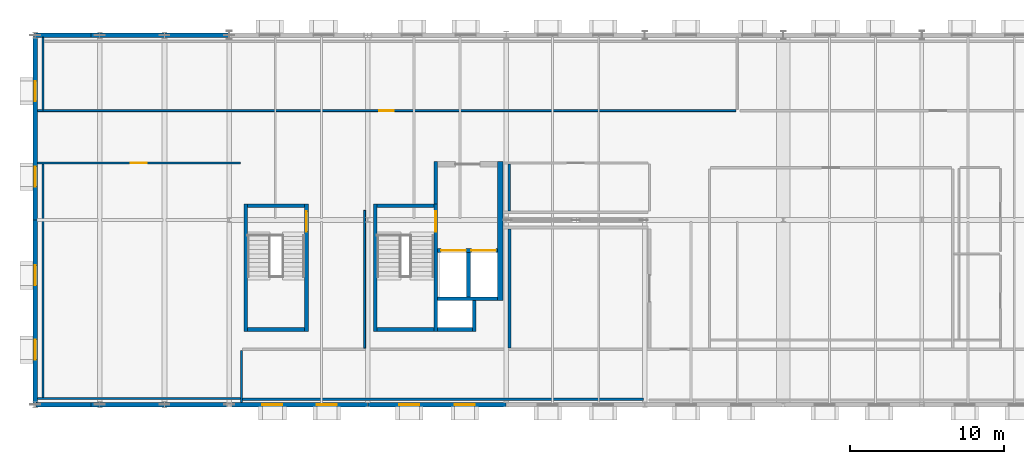
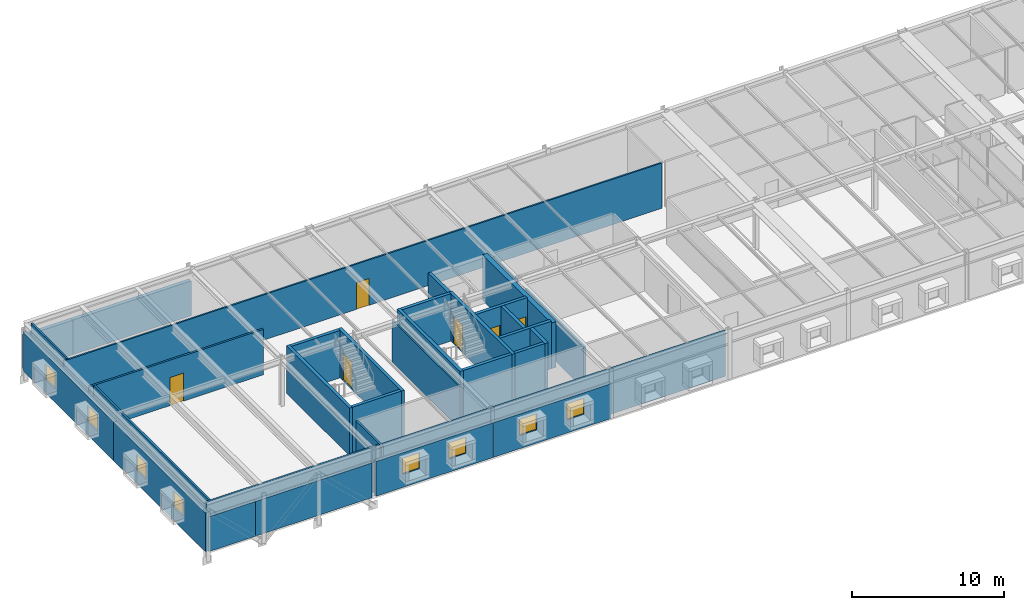
# One storey, part 11 of 17: 33 walls, 8 windows, 6 doors, 14 openings.
"""IFC4 building model written with IfcOpenShell, lengths in metres."""

from ifc_helpers import new_model, si_unit, direction, frame, frame_2d, origin, place, context, subcontext, project, spatial, rectangle, extrude, material, layer, layer_set, type_object, element, fill, save


model = new_model("IFC4")

# Units and contexts
model_context = context("Model", 3, precision=1e-05, world=origin(), true_north=direction((0.0, 1.0)))
body_context = subcontext(model_context, "Body", "Model", "MODEL_VIEW")
ifc_project = project(units=[si_unit("LENGTHUNIT", "METRE"), si_unit("AREAUNIT", "SQUARE_METRE"), si_unit("VOLUMEUNIT", "CUBIC_METRE"), si_unit("PLANEANGLEUNIT", "RADIAN"), si_unit("MASSUNIT", "GRAM", prefix="KILO")], contexts=[model_context])

# Site, building, storey
site_placement = place(None, origin())
site = spatial("IfcSite", under=ifc_project, at=site_placement, CompositionType="ELEMENT")
building_placement = place(site_placement, origin())
building = spatial("IfcBuilding", under=site, at=building_placement, Name="Montelvaro Courts of Justice", CompositionType="ELEMENT")
storey_placement = place(building_placement, frame((0.0, 0.0, 27.39990234375)))
storey = spatial("IfcBuildingStorey", under=building, at=storey_placement, Name="L06", CompositionType="ELEMENT", Elevation=27.39990234375)

# Walls
ifc_material_1 = material(Name="Gypsum board on metal stud")
ifc_layer_1 = layer(ifc_material_1, 0.14990234375)
ifc_layer_set_1 = layer_set([ifc_layer_1], Name="Gypsum board on metal stud")
wall_type_1 = type_object("IfcWallType", Name="ChambersPartition_150", PredefinedType="PARTITIONING", material=ifc_layer_set_1)
wall_1_placement = place(storey_placement, frame((71.919921875, 0.360107421875, 0.0), z_axis=(0.0, 0.0, 1.0), x_axis=(-1.0, 0.0, 0.0)))
element("IfcWall", 1, at=wall_1_placement, inside=storey, type_object=wall_type_1, Name="Interior Partition IW-04 (L06)", PredefinedType="PARTITIONING", context=body_context, shape_type="SweptSolid", body=[
    extrude(rectangle(XDim=26.0400390625, YDim=0.14990234375, at=frame_2d((13.02001953125, 0.0))), origin(), (0.0, 0.0, 1.0), 3.64013671875),
])
wall_2_placement = place(storey_placement, frame((45.800048828125, 0.135009765625, 0.0), z_axis=(0.0, 0.0, 1.0), x_axis=(0.0, 1.0, 0.0)))
element("IfcWall", 2, at=wall_2_placement, inside=storey, type_object=wall_type_1, Name="Interior Partition IW-04 (L06)", PredefinedType="PARTITIONING", context=body_context, shape_type="SweptSolid", body=[
    extrude(rectangle(XDim=3.385009765625, YDim=0.14990234375, at=frame_2d((1.6923828125, 0.0))), origin(), (0.0, 0.0, 1.0), 3.64013671875),
])
wall_3_placement = place(storey_placement, frame((45.72998046875, 0.39990234375, 0.0), z_axis=(0.0, 0.0, 1.0), x_axis=(-1.0, 0.0, 0.0)))
element("IfcWall", 3, at=wall_3_placement, inside=storey, type_object=wall_type_1, Name="Interior Partition IW-04 (L06)", PredefinedType="PARTITIONING", context=body_context, shape_type="SweptSolid", body=[
    extrude(rectangle(XDim=13.195068359375, YDim=0.14990234375, at=frame_2d((6.59765625, 0.0))), origin(), (0.0, 0.0, 1.0), 3.64013671875),
])
wall_4_placement = place(storey_placement, frame((32.89990234375, 0.469970703125, 0.0), z_axis=(0.0, 0.0, 1.0), x_axis=(0.0, 1.0, 0.0)))
element("IfcWall", 4, at=wall_4_placement, inside=storey, type_object=wall_type_1, Name="Interior Partition IW-04 (L06)", PredefinedType="PARTITIONING", context=body_context, shape_type="SweptSolid", body=[
    extrude(rectangle(XDim=15.150146484375, YDim=0.14990234375, at=frame_2d((7.5751953125, 0.0))), origin(), (0.0, 0.0, 1.0), 3.64013671875),
])

# Wall, opening, door
wall_5_placement = place(storey_placement, frame((32.534912109375, 15.699951171875, 0.0), z_axis=(0.0, 0.0, 1.0), x_axis=(1.0, 0.0, 0.0)))
wall_5 = element("IfcWall", 5, at=wall_5_placement, inside=storey, type_object=wall_type_1, Name="Interior Partition IW-04 (L06)", PredefinedType="PARTITIONING", context=body_context, shape_type="SweptSolid", body=[
    extrude(rectangle(XDim=13.18505859375, YDim=0.14990234375, at=frame_2d((6.592529296875, 0.0))), origin(), (0.0, 0.0, 1.0), 3.64013671875),
])
opening_1_placement = place(wall_5_placement, frame((6.068115234375, 0.0, 0.0)))
opening_1 = element("IfcOpeningElement", 6, at=opening_1_placement, cuts=wall_5, Name="Opening D-L06-164", PredefinedType="OPENING", context=body_context, shape_type="SweptSolid", body=[
    extrude(rectangle(XDim=1.050048828125, YDim=2.25, at=frame_2d((0.52490234375, 1.125))), frame((0.0, 0.08984375, 0.0), z_axis=(0.0, -1.0, 0.0), x_axis=(1.0, 0.0, 0.0)), (0.0, 0.0, 1.0), 0.1796875),
])
ifc_material_2 = material(Name="Acoustic oak timber veneer", Category="wood")
door_type_1 = type_object("IfcDoorType", Name="ChamberDoor_105x225", OperationType="NOTDEFINED", PredefinedType="DOOR", material=ifc_material_2)
door_1_placement = place(opening_1_placement, origin())
door_1 = element("IfcDoor", 7, at=door_1_placement, inside=storey, type_object=door_type_1, Name="Interior Door D-L06-164 (West Cantilever Judicial Conference Hall)", OperationType="SINGLE_SWING_RIGHT", OverallHeight=2.25, OverallWidth=1.050048828125, PredefinedType="DOOR", context=body_context, shape_type="SweptSolid", body=[
    extrude(rectangle(XDim=1.050048828125, YDim=2.25, at=frame_2d((0.52490234375, 1.125))), frame((0.0, 0.02490234375, 0.0), z_axis=(0.0, -1.0, 0.0), x_axis=(1.0, 0.0, 0.0)), (0.0, 0.0, 1.0), 0.050048828125),
])
fill(opening_1, door_1)

# Walls
wall_6_placement = place(storey_placement, frame((63.199951171875, 12.570068359375, 0.0), z_axis=(0.0, 0.0, 1.0), x_axis=(0.0, 1.0, 0.0)))
element("IfcWall", 8, at=wall_6_placement, inside=storey, type_object=wall_type_1, Name="Interior Partition IW-04 (L06)", PredefinedType="PARTITIONING", context=body_context, shape_type="SweptSolid", body=[
    extrude(rectangle(XDim=3.050048828125, YDim=0.14990234375, at=frame_2d((1.52490234375, 0.0))), origin(), (0.0, 0.0, 1.0), 3.35498046875),
])
ifc_material_3 = material(Name="Concrete C40/50", Category="concrete")
ifc_layer_2 = layer(ifc_material_3, 0.360107421875)
ifc_layer_set_2 = layer_set([ifc_layer_2], Name="Concrete C40/50")
wall_type_2 = type_object("IfcWallType", Name="CoreWall_360", PredefinedType="SHEAR", material=ifc_layer_set_2)
wall_7_placement = place(storey_placement, frame((62.6201171875, 6.760009765625, 0.0), z_axis=(0.0, 0.0, 1.0), x_axis=(0.0, 1.0, 0.0)))
element("IfcWall", 9, at=wall_7_placement, inside=storey, type_object=wall_type_2, Name="Core Shear Wall CW-01 K1-E (L06)", PredefinedType="SHEAR", context=body_context, shape_type="SweptSolid", body=[
    extrude(rectangle(XDim=9.0400390625, YDim=0.360107421875, at=frame_2d((4.52001953125, 0.0))), origin(), (0.0, 0.0, 1.0), 3.66015625),
])
ifc_material_4 = material(Name="Gypsum acoustic double stud with mineral wool")
ifc_layer_3 = layer(ifc_material_4, 0.199951171875)
ifc_layer_set_3 = layer_set([ifc_layer_3], Name="Gypsum acoustic double stud with mineral wool")
wall_type_3 = type_object("IfcWallType", Name="CourtAcousticWall_200", PredefinedType="PARTITIONING", material=ifc_layer_set_3)
wall_8_placement = place(storey_placement, frame((63.199951171875, 3.669921875, 0.0), z_axis=(0.0, 0.0, 1.0), x_axis=(0.0, 1.0, 0.0)))
element("IfcWall", 10, at=wall_8_placement, inside=storey, type_object=wall_type_3, Name="Interior Partition IW-01 (L06)", PredefinedType="PARTITIONING", context=body_context, shape_type="SweptSolid", body=[
    extrude(rectangle(XDim=7.75, YDim=0.199951171875, at=frame_2d((3.875, 0.0))), origin(), (0.0, 0.0, 1.0), 3.35498046875),
])
ifc_material_5 = material(Name="White mineral precast concrete C45/55", Category="concrete")
ifc_layer_4 = layer(ifc_material_5, 0.280029296875)
ifc_layer_set_4 = layer_set([ifc_layer_4], Name="White mineral precast concrete C45/55")
wall_type_4 = type_object("IfcWallType", Name="ExtWall_GFRC_280", PredefinedType="SOLIDWALL", material=ifc_layer_set_4)
wall_9_placement = place(storey_placement, frame((32.43994140625, 0.0, 0.0), z_axis=(0.0, 0.0, 1.0), x_axis=(1.0, 0.0, 0.0)))
element("IfcWall", 11, at=wall_9_placement, inside=storey, type_object=wall_type_4, Name="Exterior Facade Wall EW-01 (L06)", PredefinedType="SOLIDWALL", context=body_context, shape_type="SweptSolid", body=[
    extrude(rectangle(XDim=3.570068359375, YDim=0.280029296875, at=frame_2d((1.78515625, 0.0))), origin(), (0.0, 0.0, 1.0), 2.787109375),
])
wall_10_placement = place(storey_placement, frame((35.989990234375, 0.0, 0.0), z_axis=(0.0, 0.0, 1.0), x_axis=(1.0, 0.0, 0.0)))
element("IfcWall", 12, at=wall_10_placement, inside=storey, type_object=wall_type_4, Name="Exterior Facade Wall EW-01 (L06)", PredefinedType="SOLIDWALL", context=body_context, shape_type="SweptSolid", body=[
    extrude(rectangle(XDim=8.85205078125, YDim=0.280029296875, at=frame_2d((4.426025390625, 0.0))), origin(), (0.0, 0.0, 1.0), 2.787109375),
])

# Wall, openings, windows
wall_11_placement = place(storey_placement, frame((45.157958984375, 0.0, 0.0), z_axis=(0.0, 0.0, 1.0), x_axis=(1.0, 0.0, 0.0)))
wall_11 = element("IfcWall", 13, at=wall_11_placement, inside=storey, type_object=wall_type_4, Name="Exterior Facade Wall EW-01 (L06)", PredefinedType="SOLIDWALL", context=body_context, shape_type="SweptSolid", body=[
    extrude(rectangle(XDim=8.833984375, YDim=0.280029296875, at=frame_2d((4.4169921875, 0.0))), origin(), (0.0, 0.0, 1.0), 2.787109375),
])
opening_2_placement = place(wall_11_placement, frame((2.0, 0.0, 1.050048828125)))
opening_2 = element("IfcOpeningElement", 14, at=opening_2_placement, cuts=wall_11, Name="Opening WE-18", PredefinedType="OPENING", context=body_context, shape_type="SweptSolid", body=[
    extrude(rectangle(XDim=1.300048828125, YDim=1.300048828125, at=frame_2d((0.64990234375, 0.64990234375))), frame((0.0, 0.15478515625, 0.0), z_axis=(0.0, -1.0, 0.0), x_axis=(1.0, 0.0, 0.0)), (0.0, 0.0, 1.0), 0.309814453125),
])
opening_3_placement = place(wall_11_placement, frame((5.533935546875, 0.0, 1.050048828125)))
opening_3 = element("IfcOpeningElement", 15, at=opening_3_placement, cuts=wall_11, Name="Opening WE-18", PredefinedType="OPENING", context=body_context, shape_type="SweptSolid", body=[
    extrude(rectangle(XDim=1.300048828125, YDim=1.300048828125, at=frame_2d((0.64990234375, 0.64990234375))), frame((0.0, 0.15478515625, 0.0), z_axis=(0.0, -1.0, 0.0), x_axis=(1.0, 0.0, 0.0)), (0.0, 0.0, 1.0), 0.309814453125),
])
ifc_material_6 = material(Name="Low-E solar control double glazing", Category="glass")
window_type = type_object("IfcWindowType", Name="Win_Sq_130x130", PartitioningType="SINGLE_PANEL", PredefinedType="WINDOW", material=ifc_material_6)
window_1_placement = place(opening_2_placement, origin())
window_1 = element("IfcWindow", 16, at=window_1_placement, inside=storey, type_object=window_type, Name="Window W-L06-284", OverallHeight=1.300048828125, OverallWidth=1.300048828125, PartitioningType="SINGLE_PANEL", PredefinedType="WINDOW", context=body_context, shape_type="SweptSolid", body=[
    extrude(rectangle(XDim=1.300048828125, YDim=1.300048828125, at=frame_2d((0.64990234375, 0.64990234375))), frame((0.0, 0.030029296875, 0.0), z_axis=(0.0, -1.0, 0.0), x_axis=(1.0, 0.0, 0.0)), (0.0, 0.0, 1.0), 0.06005859375),
])
fill(opening_2, window_1)
window_2_placement = place(opening_3_placement, origin())
window_2 = element("IfcWindow", 17, at=window_2_placement, inside=storey, type_object=window_type, Name="Window W-L06-285", OverallHeight=1.300048828125, OverallWidth=1.300048828125, PartitioningType="SINGLE_PANEL", PredefinedType="WINDOW", context=body_context, shape_type="SweptSolid", body=[
    extrude(rectangle(XDim=1.300048828125, YDim=1.300048828125, at=frame_2d((0.64990234375, 0.64990234375))), frame((0.0, 0.030029296875, 0.0), z_axis=(0.0, -1.0, 0.0), x_axis=(1.0, 0.0, 0.0)), (0.0, 0.0, 1.0), 0.06005859375),
])
fill(opening_3, window_2)

wall_12_placement = place(storey_placement, frame((54.008056640625, 0.0, 0.0), z_axis=(0.0, 0.0, 1.0), x_axis=(1.0, 0.0, 0.0)))
wall_12 = element("IfcWall", 18, at=wall_12_placement, inside=storey, type_object=wall_type_4, Name="Exterior Facade Wall EW-01 (L06)", PredefinedType="SOLIDWALL", context=body_context, shape_type="SweptSolid", body=[
    extrude(rectangle(XDim=8.98388671875, YDim=0.280029296875, at=frame_2d((4.491943359375, 0.0))), origin(), (0.0, 0.0, 1.0), 2.787109375),
])
opening_4_placement = place(wall_12_placement, frame((2.044921875, 0.0, 1.050048828125)))
opening_4 = element("IfcOpeningElement", 19, at=opening_4_placement, cuts=wall_12, Name="Opening WE-18", PredefinedType="OPENING", context=body_context, shape_type="SweptSolid", body=[
    extrude(rectangle(XDim=1.300048828125, YDim=1.300048828125, at=frame_2d((0.64990234375, 0.64990234375))), frame((0.0, 0.15478515625, 0.0), z_axis=(0.0, -1.0, 0.0), x_axis=(1.0, 0.0, 0.0)), (0.0, 0.0, 1.0), 0.309814453125),
])
opening_5_placement = place(wall_12_placement, frame((5.638916015625, 0.0, 1.050048828125)))
opening_5 = element("IfcOpeningElement", 20, at=opening_5_placement, cuts=wall_12, Name="Opening WE-18", PredefinedType="OPENING", context=body_context, shape_type="SweptSolid", body=[
    extrude(rectangle(XDim=1.300048828125, YDim=1.300048828125, at=frame_2d((0.64990234375, 0.64990234375))), frame((0.0, 0.15478515625, 0.0), z_axis=(0.0, -1.0, 0.0), x_axis=(1.0, 0.0, 0.0)), (0.0, 0.0, 1.0), 0.309814453125),
])
window_3_placement = place(opening_4_placement, origin())
window_3 = element("IfcWindow", 21, at=window_3_placement, inside=storey, type_object=window_type, Name="Window W-L06-286", OverallHeight=1.300048828125, OverallWidth=1.300048828125, PartitioningType="SINGLE_PANEL", PredefinedType="WINDOW", context=body_context, shape_type="SweptSolid", body=[
    extrude(rectangle(XDim=1.300048828125, YDim=1.300048828125, at=frame_2d((0.64990234375, 0.64990234375))), frame((0.0, 0.030029296875, 0.0), z_axis=(0.0, -1.0, 0.0), x_axis=(1.0, 0.0, 0.0)), (0.0, 0.0, 1.0), 0.06005859375),
])
fill(opening_4, window_3)
window_4_placement = place(opening_5_placement, origin())
window_4 = element("IfcWindow", 22, at=window_4_placement, inside=storey, type_object=window_type, Name="Window W-L06-287", OverallHeight=1.300048828125, OverallWidth=1.300048828125, PartitioningType="SINGLE_PANEL", PredefinedType="WINDOW", context=body_context, shape_type="SweptSolid", body=[
    extrude(rectangle(XDim=1.300048828125, YDim=1.300048828125, at=frame_2d((0.64990234375, 0.64990234375))), frame((0.0, 0.030029296875, 0.0), z_axis=(0.0, -1.0, 0.0), x_axis=(1.0, 0.0, 0.0)), (0.0, 0.0, 1.0), 0.06005859375),
])
fill(opening_5, window_4)

# Walls
wall_13_placement = place(storey_placement, frame((44.991943359375, 24.0, 0.0), z_axis=(0.0, 0.0, 1.0), x_axis=(-1.0, 0.0, 0.0)))
element("IfcWall", 23, at=wall_13_placement, inside=storey, type_object=wall_type_4, Name="Exterior Facade Wall EW-01 (L06)", PredefinedType="SOLIDWALL", context=body_context, shape_type="SweptSolid", body=[
    extrude(rectangle(XDim=9.001953125, YDim=0.280029296875, at=frame_2d((4.5009765625, 0.0))), origin(), (0.0, 0.0, 1.0), 2.787109375),
])
wall_14_placement = place(storey_placement, frame((36.010009765625, 24.0, 0.0), z_axis=(0.0, 0.0, 1.0), x_axis=(-1.0, 0.0, 0.0)))
element("IfcWall", 24, at=wall_14_placement, inside=storey, type_object=wall_type_4, Name="Exterior Facade Wall EW-01 (L06)", PredefinedType="SOLIDWALL", context=body_context, shape_type="SweptSolid", body=[
    extrude(rectangle(XDim=3.64990234375, YDim=0.280029296875, at=frame_2d((1.824951171875, 0.0))), origin(), (0.0, 0.0, 1.0), 2.787109375),
])

# Wall, openings, windows
wall_15_placement = place(storey_placement, frame((32.39990234375, 23.9599609375, 0.0), z_axis=(0.0, 0.0, 1.0), x_axis=(0.0, -1.0, 0.0)))
wall_15 = element("IfcWall", 25, at=wall_15_placement, inside=storey, type_object=wall_type_4, Name="Exterior Facade Wall EW-01 (L06)", PredefinedType="SOLIDWALL", context=body_context, shape_type="SweptSolid", body=[
    extrude(rectangle(XDim=11.969970703125, YDim=0.280029296875, at=frame_2d((5.98486328125, 0.0))), origin(), (0.0, 0.0, 1.0), 3.09521484375),
])
opening_6_placement = place(wall_15_placement, frame((2.94091796875, 0.0, 1.050048828125)))
opening_6 = element("IfcOpeningElement", 26, at=opening_6_placement, cuts=wall_15, Name="Opening WE-18", PredefinedType="OPENING", context=body_context, shape_type="SweptSolid", body=[
    extrude(rectangle(XDim=1.300048828125, YDim=1.300048828125, at=frame_2d((0.64990234375, 0.64990234375))), frame((0.0, 0.15478515625, 0.0), z_axis=(0.0, -1.0, 0.0), x_axis=(1.0, 0.0, 0.0)), (0.0, 0.0, 1.0), 0.309814453125),
])
opening_7_placement = place(wall_15_placement, frame((8.5, 0.0, 1.050048828125)))
opening_7 = element("IfcOpeningElement", 27, at=opening_7_placement, cuts=wall_15, Name="Opening WE-18", PredefinedType="OPENING", context=body_context, shape_type="SweptSolid", body=[
    extrude(rectangle(XDim=1.300048828125, YDim=1.300048828125, at=frame_2d((0.64990234375, 0.64990234375))), frame((0.0, 0.15478515625, 0.0), z_axis=(0.0, -1.0, 0.0), x_axis=(1.0, 0.0, 0.0)), (0.0, 0.0, 1.0), 0.309814453125),
])
window_5_placement = place(opening_6_placement, origin())
window_5 = element("IfcWindow", 28, at=window_5_placement, inside=storey, type_object=window_type, Name="Window W-L06-300", OverallHeight=1.300048828125, OverallWidth=1.300048828125, PartitioningType="SINGLE_PANEL", PredefinedType="WINDOW", context=body_context, shape_type="SweptSolid", body=[
    extrude(rectangle(XDim=1.300048828125, YDim=1.300048828125, at=frame_2d((0.64990234375, 0.64990234375))), frame((0.0, 0.030029296875, 0.0), z_axis=(0.0, -1.0, 0.0), x_axis=(1.0, 0.0, 0.0)), (0.0, 0.0, 1.0), 0.06005859375),
])
fill(opening_6, window_5)
window_6_placement = place(opening_7_placement, origin())
window_6 = element("IfcWindow", 29, at=window_6_placement, inside=storey, type_object=window_type, Name="Window W-L06-301", OverallHeight=1.300048828125, OverallWidth=1.300048828125, PartitioningType="SINGLE_PANEL", PredefinedType="WINDOW", context=body_context, shape_type="SweptSolid", body=[
    extrude(rectangle(XDim=1.300048828125, YDim=1.300048828125, at=frame_2d((0.64990234375, 0.64990234375))), frame((0.0, 0.030029296875, 0.0), z_axis=(0.0, -1.0, 0.0), x_axis=(1.0, 0.0, 0.0)), (0.0, 0.0, 1.0), 0.06005859375),
])
fill(opening_7, window_6)

wall_16_placement = place(storey_placement, frame((32.39990234375, 12.010009765625, 0.0), z_axis=(0.0, 0.0, 1.0), x_axis=(0.0, -1.0, 0.0)))
wall_16 = element("IfcWall", 30, at=wall_16_placement, inside=storey, type_object=wall_type_4, Name="Exterior Facade Wall EW-01 (L06)", PredefinedType="SOLIDWALL", context=body_context, shape_type="SweptSolid", body=[
    extrude(rectangle(XDim=12.050048828125, YDim=0.280029296875, at=frame_2d((6.02490234375, 0.0))), origin(), (0.0, 0.0, 1.0), 3.09521484375),
])
opening_8_placement = place(wall_16_placement, frame((2.965087890625, 0.0, 1.050048828125)))
opening_8 = element("IfcOpeningElement", 31, at=opening_8_placement, cuts=wall_16, Name="Opening WE-18", PredefinedType="OPENING", context=body_context, shape_type="SweptSolid", body=[
    extrude(rectangle(XDim=1.300048828125, YDim=1.300048828125, at=frame_2d((0.64990234375, 0.64990234375))), frame((0.0, 0.15478515625, 0.0), z_axis=(0.0, -1.0, 0.0), x_axis=(1.0, 0.0, 0.0)), (0.0, 0.0, 1.0), 0.309814453125),
])
opening_9_placement = place(wall_16_placement, frame((7.784912109375, 0.0, 1.050048828125)))
opening_9 = element("IfcOpeningElement", 32, at=opening_9_placement, cuts=wall_16, Name="Opening WE-18", PredefinedType="OPENING", context=body_context, shape_type="SweptSolid", body=[
    extrude(rectangle(XDim=1.300048828125, YDim=1.300048828125, at=frame_2d((0.64990234375, 0.64990234375))), frame((0.0, 0.15478515625, 0.0), z_axis=(0.0, -1.0, 0.0), x_axis=(1.0, 0.0, 0.0)), (0.0, 0.0, 1.0), 0.309814453125),
])
window_7_placement = place(opening_8_placement, origin())
window_7 = element("IfcWindow", 33, at=window_7_placement, inside=storey, type_object=window_type, Name="Window W-L06-302", OverallHeight=1.300048828125, OverallWidth=1.300048828125, PartitioningType="SINGLE_PANEL", PredefinedType="WINDOW", context=body_context, shape_type="SweptSolid", body=[
    extrude(rectangle(XDim=1.300048828125, YDim=1.300048828125, at=frame_2d((0.64990234375, 0.64990234375))), frame((0.0, 0.030029296875, 0.0), z_axis=(0.0, -1.0, 0.0), x_axis=(1.0, 0.0, 0.0)), (0.0, 0.0, 1.0), 0.06005859375),
])
fill(opening_8, window_7)
window_8_placement = place(opening_9_placement, origin())
window_8 = element("IfcWindow", 34, at=window_8_placement, inside=storey, type_object=window_type, Name="Window W-L06-303", OverallHeight=1.300048828125, OverallWidth=1.300048828125, PartitioningType="SINGLE_PANEL", PredefinedType="WINDOW", context=body_context, shape_type="SweptSolid", body=[
    extrude(rectangle(XDim=1.300048828125, YDim=1.300048828125, at=frame_2d((0.64990234375, 0.64990234375))), frame((0.0, 0.030029296875, 0.0), z_axis=(0.0, -1.0, 0.0), x_axis=(1.0, 0.0, 0.0)), (0.0, 0.0, 1.0), 0.06005859375),
])
fill(opening_9, window_8)

# Wall
ifc_layer_5 = layer(ifc_material_1, 0.1201171875)
ifc_layer_set_5 = layer_set([ifc_layer_5], Name="Gypsum board on metal stud")
wall_type_5 = type_object("IfcWallType", Name="OfficePartition_120", PredefinedType="PARTITIONING", material=ifc_layer_set_5)
wall_17_placement = place(storey_placement, frame((53.800048828125, 12.6201171875, 0.0), z_axis=(0.0, 0.0, 1.0), x_axis=(0.0, -1.0, 0.0)))
element("IfcWall", 35, at=wall_17_placement, inside=storey, type_object=wall_type_5, Name="Interior Partition IW-05 (L06)", PredefinedType="PARTITIONING", context=body_context, shape_type="SweptSolid", body=[
    extrude(rectangle(XDim=8.9501953125, YDim=0.1201171875, at=frame_2d((4.47509765625, 0.0))), origin(), (0.0, 0.0, 1.0), 3.405029296875),
])

# Wall, opening, door
wall_18_placement = place(storey_placement, frame((77.919921875, 19.10009765625, 0.0), z_axis=(0.0, 0.0, 1.0), x_axis=(-1.0, 0.0, 0.0)))
wall_18 = element("IfcWall", 36, at=wall_18_placement, inside=storey, type_object=wall_type_5, Name="Interior Partition IW-05 (L06)", PredefinedType="PARTITIONING", context=body_context, shape_type="SweptSolid", body=[
    extrude(rectangle(XDim=45.385009765625, YDim=0.1201171875, at=frame_2d((22.6923828125, 0.0))), origin(), (0.0, 0.0, 1.0), 3.64013671875),
])
opening_10_placement = place(wall_18_placement, frame((22.218017578125, 0.0, 0.0)))
opening_10 = element("IfcOpeningElement", 37, at=opening_10_placement, cuts=wall_18, Name="Opening D-L06-167", PredefinedType="OPENING", context=body_context, shape_type="SweptSolid", body=[
    extrude(rectangle(XDim=0.949951171875, YDim=2.14990234375, at=frame_2d((0.47509765625, 1.074951171875))), frame((0.0, 0.074951171875, 0.0), z_axis=(0.0, -1.0, 0.0), x_axis=(1.0, 0.0, 0.0)), (0.0, 0.0, 1.0), 0.14990234375),
])
door_type_2 = type_object("IfcDoorType", Name="OfficeDoor_095x215", OperationType="NOTDEFINED", PredefinedType="DOOR", material=ifc_material_2)
door_2_placement = place(opening_10_placement, frame((0.949951171875, 0.0, 0.0), z_axis=(0.0, 0.0, 1.0), x_axis=(-1.0, 0.0, 0.0)))
door_2 = element("IfcDoor", 38, at=door_2_placement, inside=storey, type_object=door_type_2, Name="Interior Door D-L06-167 (Criminal Magistrates' Chambers North L06)", OperationType="SINGLE_SWING_RIGHT", OverallHeight=2.14990234375, OverallWidth=0.949951171875, PredefinedType="DOOR", context=body_context, shape_type="SweptSolid", body=[
    extrude(rectangle(XDim=0.949951171875, YDim=2.14990234375, at=frame_2d((0.47509765625, 1.074951171875))), frame((0.0, 0.02490234375, 0.0), z_axis=(0.0, -1.0, 0.0), x_axis=(1.0, 0.0, 0.0)), (0.0, 0.0, 1.0), 0.050048828125),
])
fill(opening_10, door_2)

# Walls
wall_19_placement = place(storey_placement, frame((32.89990234375, 19.155029296875, 0.0), z_axis=(0.0, 0.0, 1.0), x_axis=(0.0, 1.0, 0.0)))
element("IfcWall", 39, at=wall_19_placement, inside=storey, type_object=wall_type_5, Name="Interior Partition IW-05 (L06)", PredefinedType="PARTITIONING", context=body_context, shape_type="SweptSolid", body=[
    extrude(rectangle(XDim=4.7099609375, YDim=0.1201171875, at=frame_2d((2.35498046875, 0.0))), origin(), (0.0, 0.0, 1.0), 3.64013671875),
])
ifc_material_7 = material(Name="Concrete C35/45", Category="concrete")
ifc_layer_6 = layer(ifc_material_7, 0.239990234375)
ifc_layer_set_6 = layer_set([ifc_layer_6], Name="Concrete C35/45")
wall_type_6 = type_object("IfcWallType", Name="ShaftWall_240", PredefinedType="SHEAR", material=ifc_layer_set_6)
wall_20_placement = place(storey_placement, frame((54.47998046875, 4.760009765625, 0.0), z_axis=(0.0, 0.0, 1.0), x_axis=(0.0, 1.0, 0.0)))
element("IfcWall", 40, at=wall_20_placement, inside=storey, type_object=wall_type_6, Name="Protected Stair Structural Wall ST-K1-W (L06)", PredefinedType="SHEAR", context=body_context, shape_type="SweptSolid", body=[
    extrude(rectangle(XDim=8.280029296875, YDim=0.239990234375, at=frame_2d((4.14013671875, 0.0))), origin(), (0.0, 0.0, 1.0), 3.81005859375),
])

# Wall, opening, door
wall_21_placement = place(storey_placement, frame((58.419921875, 4.760009765625, 0.0), z_axis=(0.0, 0.0, 1.0), x_axis=(0.0, 1.0, 0.0)))
wall_21 = element("IfcWall", 41, at=wall_21_placement, inside=storey, type_object=wall_type_6, Name="Protected Stair Structural Wall ST-K1-E (L06)", PredefinedType="SHEAR", context=body_context, shape_type="SweptSolid", body=[
    extrude(rectangle(XDim=8.280029296875, YDim=0.239990234375, at=frame_2d((4.14013671875, 0.0))), origin(), (0.0, 0.0, 1.0), 3.81005859375),
])
opening_11_placement = place(wall_21_placement, frame((6.489990234375, 0.0, 0.0)))
opening_11 = element("IfcOpeningElement", 42, at=opening_11_placement, cuts=wall_21, Name="Opening DS-L06-K1", PredefinedType="OPENING", context=body_context, shape_type="SweptSolid", body=[
    extrude(rectangle(XDim=1.300048828125, YDim=2.199951171875, at=frame_2d((0.64990234375, 1.10009765625))), frame((0.0, 0.134765625, 0.0), z_axis=(0.0, -1.0, 0.0), x_axis=(1.0, 0.0, 0.0)), (0.0, 0.0, 1.0), 0.269775390625),
])
ifc_material_8 = material(Name="Galvanised steel S355 security door", Category="steel")
door_type_3 = type_object("IfcDoorType", Name="StairFireDoor_130x220", OperationType="NOTDEFINED", PredefinedType="DOOR", material=ifc_material_8)
door_3_placement = place(opening_11_placement, frame((1.300048828125, 0.0, 0.0), z_axis=(0.0, 0.0, 1.0), x_axis=(-1.0, 0.0, 0.0)))
door_3 = element("IfcDoor", 43, at=door_3_placement, inside=storey, type_object=door_type_3, Name="Protected Stair Fire Door DS-L06-K1", OperationType="SINGLE_SWING_RIGHT", OverallHeight=2.199951171875, OverallWidth=1.300048828125, PredefinedType="DOOR", context=body_context, shape_type="SweptSolid", body=[
    extrude(rectangle(XDim=1.300048828125, YDim=2.199951171875, at=frame_2d((0.64990234375, 1.10009765625))), frame((0.0, 0.02490234375, 0.0), z_axis=(0.0, -1.0, 0.0), x_axis=(1.0, 0.0, 0.0)), (0.0, 0.0, 1.0), 0.050048828125),
])
fill(opening_11, door_3)

# Walls
for number, where, z_axis, x_axis, name in (
    (44, (54.60009765625, 4.8798828125, 0.0), (0.0, 0.0, 1.0), (1.0, 0.0, 0.0), "Protected Stair Structural Wall ST-K1-S (L06)"),
    (45, (54.60009765625, 12.919921875, 0.0), (0.0, 0.0, 1.0), (1.0, 0.0, 0.0), "Protected Stair Structural Wall ST-K1-N (L06)"),
):
    element("IfcWall", number, at=place(storey_placement, frame(where, z_axis=z_axis, x_axis=x_axis)), inside=storey, type_object=wall_type_6, Name=name, PredefinedType="SHEAR", context=body_context, shape_type="SweptSolid", body=[
        extrude(rectangle(XDim=3.699951171875, YDim=0.239990234375, at=frame_2d((1.85009765625, 0.0))), origin(), (0.0, 0.0, 1.0), 3.81005859375),
    ])
wall_22_placement = place(storey_placement, frame((46.080078125, 4.760009765625, 0.0), z_axis=(0.0, 0.0, 1.0), x_axis=(0.0, 1.0, 0.0)))
element("IfcWall", 46, at=wall_22_placement, inside=storey, type_object=wall_type_6, Name="Protected Stair Structural Wall ST-E1-W (L06)", PredefinedType="SHEAR", context=body_context, shape_type="SweptSolid", body=[
    extrude(rectangle(XDim=8.280029296875, YDim=0.239990234375, at=frame_2d((4.14013671875, 0.0))), origin(), (0.0, 0.0, 1.0), 3.81005859375),
])

# Wall, opening, door
wall_23_placement = place(storey_placement, frame((50.02001953125, 4.760009765625, 0.0), z_axis=(0.0, 0.0, 1.0), x_axis=(0.0, 1.0, 0.0)))
wall_23 = element("IfcWall", 47, at=wall_23_placement, inside=storey, type_object=wall_type_6, Name="Protected Stair Structural Wall ST-E1-E (L06)", PredefinedType="SHEAR", context=body_context, shape_type="SweptSolid", body=[
    extrude(rectangle(XDim=8.280029296875, YDim=0.239990234375, at=frame_2d((4.14013671875, 0.0))), origin(), (0.0, 0.0, 1.0), 3.81005859375),
])
opening_12_placement = place(wall_23_placement, frame((6.489990234375, 0.0, 0.0)))
opening_12 = element("IfcOpeningElement", 48, at=opening_12_placement, cuts=wall_23, Name="Opening DS-L06-SE1", PredefinedType="OPENING", context=body_context, shape_type="SweptSolid", body=[
    extrude(rectangle(XDim=1.300048828125, YDim=2.199951171875, at=frame_2d((0.64990234375, 1.10009765625))), frame((0.0, 0.134765625, 0.0), z_axis=(0.0, -1.0, 0.0), x_axis=(1.0, 0.0, 0.0)), (0.0, 0.0, 1.0), 0.269775390625),
])
door_4_placement = place(opening_12_placement, frame((1.300048828125, 0.0, 0.0), z_axis=(0.0, 0.0, 1.0), x_axis=(-1.0, 0.0, 0.0)))
door_4 = element("IfcDoor", 49, at=door_4_placement, inside=storey, type_object=door_type_3, Name="Protected Stair Fire Door DS-L06-SE1", OperationType="SINGLE_SWING_RIGHT", OverallHeight=2.199951171875, OverallWidth=1.300048828125, PredefinedType="DOOR", context=body_context, shape_type="SweptSolid", body=[
    extrude(rectangle(XDim=1.300048828125, YDim=2.199951171875, at=frame_2d((0.64990234375, 1.10009765625))), frame((0.0, 0.02490234375, 0.0), z_axis=(0.0, -1.0, 0.0), x_axis=(1.0, 0.0, 0.0)), (0.0, 0.0, 1.0), 0.050048828125),
])
fill(opening_12, door_4)

# Walls
for number, where, z_axis, x_axis, name in (
    (50, (46.199951171875, 4.8798828125, 0.0), (0.0, 0.0, 1.0), (1.0, 0.0, 0.0), "Protected Stair Structural Wall ST-E1-S (L06)"),
    (51, (46.199951171875, 12.919921875, 0.0), (0.0, 0.0, 1.0), (1.0, 0.0, 0.0), "Protected Stair Structural Wall ST-E1-N (L06)"),
):
    element("IfcWall", number, at=place(storey_placement, frame(where, z_axis=z_axis, x_axis=x_axis)), inside=storey, type_object=wall_type_6, Name=name, PredefinedType="SHEAR", context=body_context, shape_type="SweptSolid", body=[
        extrude(rectangle(XDim=3.699951171875, YDim=0.239990234375, at=frame_2d((1.85009765625, 0.0))), origin(), (0.0, 0.0, 1.0), 3.81005859375),
    ])
wall_24_placement = place(storey_placement, frame((58.419921875, 13.0400390625, 0.0), z_axis=(0.0, 0.0, 1.0), x_axis=(0.0, 1.0, 0.0)))
element("IfcWall", 52, at=wall_24_placement, inside=storey, type_object=wall_type_6, Name="Core Lobby Structural Wall K1-W (L06)", PredefinedType="SHEAR", context=body_context, shape_type="SweptSolid", body=[
    extrude(rectangle(XDim=2.760009765625, YDim=0.239990234375, at=frame_2d((1.3798828125, 0.0))), origin(), (0.0, 0.0, 1.0), 3.66015625),
])

# Wall, openings, doors
wall_25_placement = place(storey_placement, frame((58.5400390625, 10.02001953125, 0.0), z_axis=(0.0, 0.0, 1.0), x_axis=(1.0, 0.0, 0.0)))
wall_25 = element("IfcWall", 53, at=wall_25_placement, inside=storey, type_object=wall_type_6, Name="Lift Shaft Bank Wall K1 (L06)", PredefinedType="SHEAR", context=body_context, shape_type="SweptSolid", body=[
    extrude(rectangle(XDim=3.89990234375, YDim=0.239990234375, at=frame_2d((1.949951171875, 0.0))), origin(), (0.0, 0.0, 1.0), 3.81005859375),
])
opening_13_placement = place(wall_25_placement, frame((0.235107421875, 0.0, 0.0)))
opening_13 = element("IfcOpeningElement", 54, at=opening_13_placement, cuts=wall_25, Name="Opening LD-LF-01-L06", PredefinedType="OPENING", context=body_context, shape_type="SweptSolid", body=[
    extrude(rectangle(XDim=1.60009765625, YDim=2.300048828125, at=frame_2d((0.800048828125, 1.14990234375))), frame((0.0, 0.134765625, 0.0), z_axis=(0.0, -1.0, 0.0), x_axis=(1.0, 0.0, 0.0)), (0.0, 0.0, 1.0), 0.269775390625),
])
opening_14_placement = place(wall_25_placement, frame((2.18505859375, 0.0, 0.0)))
opening_14 = element("IfcOpeningElement", 55, at=opening_14_placement, cuts=wall_25, Name="Opening LD-LJ-01-L06", PredefinedType="OPENING", context=body_context, shape_type="SweptSolid", body=[
    extrude(rectangle(XDim=1.60009765625, YDim=2.300048828125, at=frame_2d((0.800048828125, 1.14990234375))), frame((0.0, 0.134765625, 0.0), z_axis=(0.0, -1.0, 0.0), x_axis=(1.0, 0.0, 0.0)), (0.0, 0.0, 1.0), 0.269775390625),
])
door_type_4 = type_object("IfcDoorType", Name="LiftDoor_160x230", OperationType="DOUBLE_DOOR_SLIDING", PredefinedType="DOOR", material=ifc_material_8)
door_5_placement = place(opening_13_placement, origin())
door_5 = element("IfcDoor", 56, at=door_5_placement, inside=storey, type_object=door_type_4, Name="Lift Landing Sliding Door LD-LF-01-L06", OperationType="DOUBLE_DOOR_SLIDING", OverallHeight=2.300048828125, OverallWidth=1.60009765625, PredefinedType="DOOR", context=body_context, shape_type="SweptSolid", body=[
    extrude(rectangle(XDim=1.60009765625, YDim=2.300048828125, at=frame_2d((0.800048828125, 1.14990234375))), frame((0.0, 0.02490234375, 0.0), z_axis=(0.0, -1.0, 0.0), x_axis=(1.0, 0.0, 0.0)), (0.0, 0.0, 1.0), 0.050048828125),
])
fill(opening_13, door_5)
door_6_placement = place(opening_14_placement, origin())
door_6 = element("IfcDoor", 57, at=door_6_placement, inside=storey, type_object=door_type_4, Name="Lift Landing Sliding Door LD-LJ-01-L06", OperationType="DOUBLE_DOOR_SLIDING", OverallHeight=2.300048828125, OverallWidth=1.60009765625, PredefinedType="DOOR", context=body_context, shape_type="SweptSolid", body=[
    extrude(rectangle(XDim=1.60009765625, YDim=2.300048828125, at=frame_2d((0.800048828125, 1.14990234375))), frame((0.0, 0.02490234375, 0.0), z_axis=(0.0, -1.0, 0.0), x_axis=(1.0, 0.0, 0.0)), (0.0, 0.0, 1.0), 0.050048828125),
])
fill(opening_14, door_6)

# Walls
wall_26_placement = place(storey_placement, frame((58.5400390625, 6.8798828125, 0.0), z_axis=(0.0, 0.0, 1.0), x_axis=(1.0, 0.0, 0.0)))
element("IfcWall", 58, at=wall_26_placement, inside=storey, type_object=wall_type_6, Name="Lift Shaft Back Wall K1 (L06)", PredefinedType="SHEAR", context=body_context, shape_type="SweptSolid", body=[
    extrude(rectangle(XDim=3.89990234375, YDim=0.239990234375, at=frame_2d((1.949951171875, 0.0))), origin(), (0.0, 0.0, 1.0), 3.81005859375),
])
wall_27_placement = place(storey_placement, frame((60.550048828125, 7.0, 0.0), z_axis=(0.0, 0.0, 1.0), x_axis=(0.0, 1.0, 0.0)))
element("IfcWall", 59, at=wall_27_placement, inside=storey, type_object=wall_type_6, Name="Lift Shaft Divider Wall K1-LFD1 (L06)", PredefinedType="SHEAR", context=body_context, shape_type="SweptSolid", body=[
    extrude(rectangle(XDim=2.89990234375, YDim=0.239990234375, at=frame_2d((1.449951171875, 0.0))), origin(), (0.0, 0.0, 1.0), 3.81005859375),
])
wall_28_placement = place(storey_placement, frame((60.919921875, 4.760009765625, 0.0), z_axis=(0.0, 0.0, 1.0), x_axis=(0.0, 1.0, 0.0)))
element("IfcWall", 60, at=wall_28_placement, inside=storey, type_object=wall_type_6, Name="Service Riser East Shaft Wall K1 (L06)", PredefinedType="SHEAR", context=body_context, shape_type="SweptSolid", body=[
    extrude(rectangle(XDim=2.0, YDim=0.239990234375, at=frame_2d((1.0, 0.0))), origin(), (0.0, 0.0, 1.0), 3.81005859375),
])
wall_29_placement = place(storey_placement, frame((58.5400390625, 4.8798828125, 0.0), z_axis=(0.0, 0.0, 1.0), x_axis=(1.0, 0.0, 0.0)))
element("IfcWall", 61, at=wall_29_placement, inside=storey, type_object=wall_type_6, Name="Service Riser South Shaft Wall K1 (L06)", PredefinedType="SHEAR", context=body_context, shape_type="SweptSolid", body=[
    extrude(rectangle(XDim=2.260009765625, YDim=0.239990234375, at=frame_2d((1.1298828125, 0.0))), origin(), (0.0, 0.0, 1.0), 3.81005859375),
])

save(model, "model.ifc")
